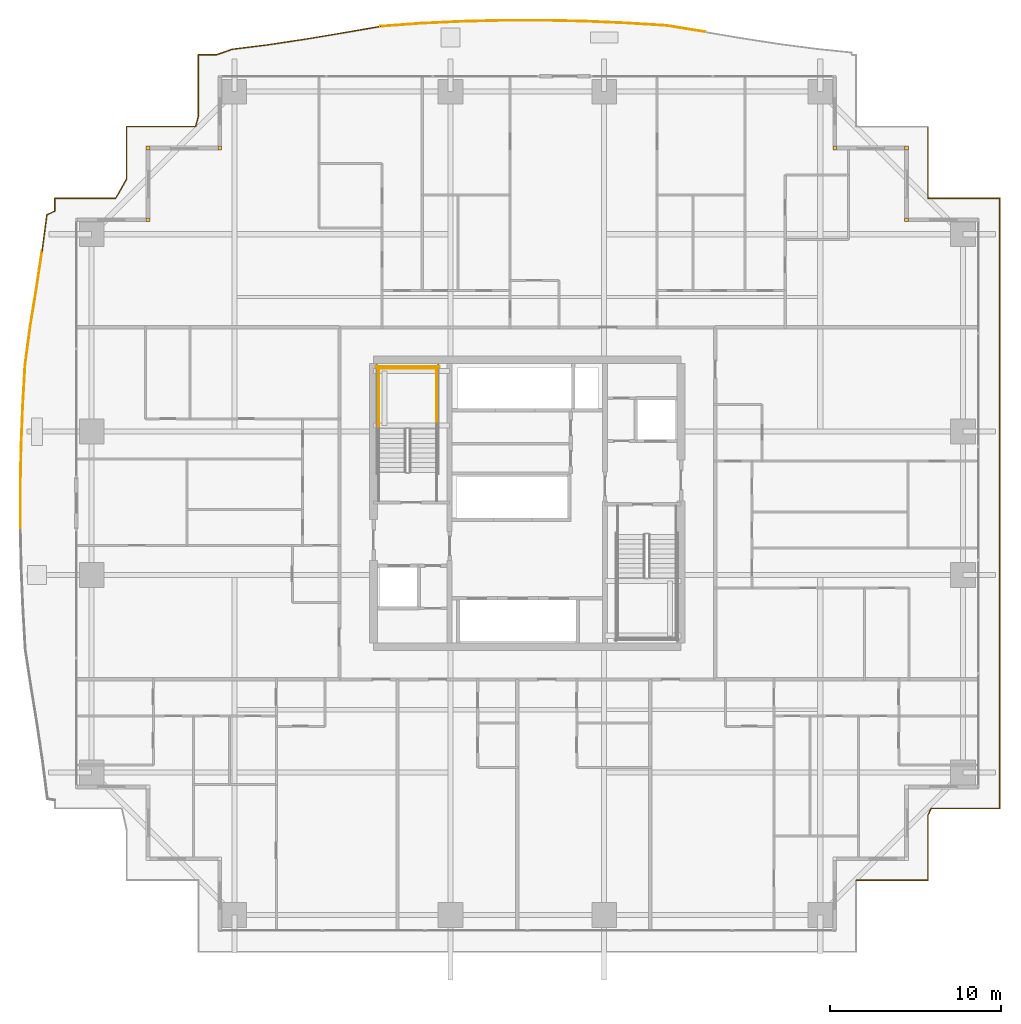
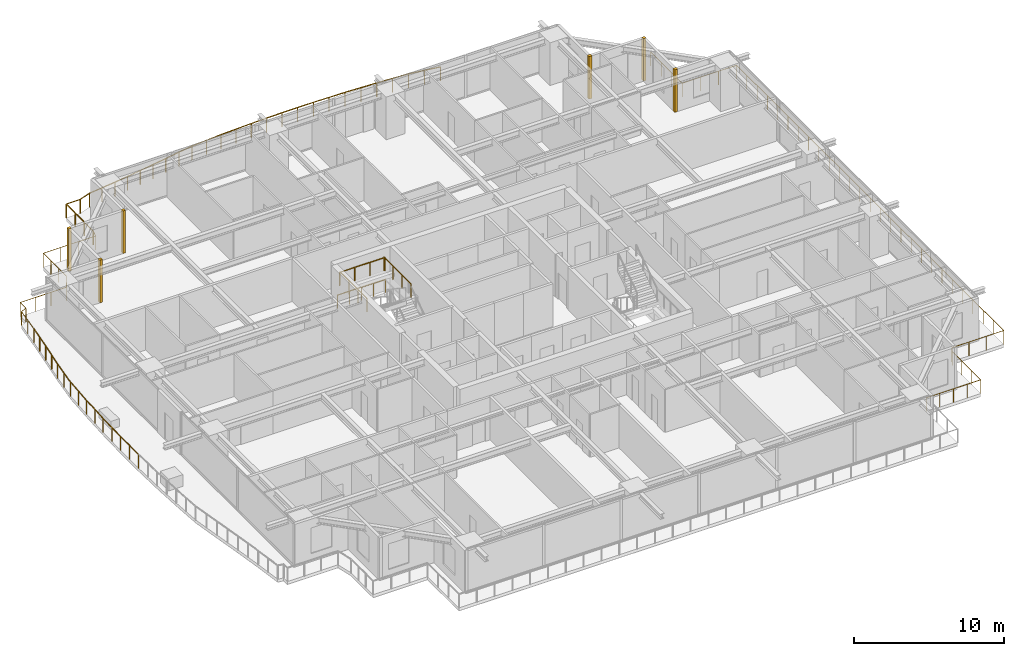
# One storey, part 34 of 35: 9 railings, 6 coverings.
"""IFC4 building model written with IfcOpenShell, lengths in metres."""

import ifcopenshell
import ifcopenshell.guid

model = None  # the IFC model being written
_history = None  # IfcOwnerHistory: only IFC2X3 demands one
_inside = {}  # id of a spatial element -> (the spatial element, [elements in it])
_under = {}  # id of a project, library or spatial element -> (it, [spatial elements below it])
_declared = {}  # id of a project -> (the project, [libraries it declares])
_typed = {}  # id of a type object -> (the type object, [elements of that type])
_made_of = {}  # id of a material, layer set ... -> (it, [elements and type objects made of it])


def new_model(schema):
    """Start an empty IFC model of exactly this schema.

    Asked for "IFC4X3", IfcOpenShell would pick the latest addendum, in which some entities
    have other attributes; the version numbers below select the first issue.
    IFC2X3 requires an IfcOwnerHistory on every rooted entity: one is made here for all.
    """
    global model, _history
    if schema == "IFC4X3":
        model = ifcopenshell.file(schema_version=(4, 3, 0, 0))
    else:
        model = ifcopenshell.file(schema=schema)
    _inside.clear()
    _under.clear()
    _declared.clear()
    _typed.clear()
    _made_of.clear()
    _history = None
    if model.schema == "IFC2X3":
        org = make("IfcOrganization", Name="unknown")
        user = make(
            "IfcPersonAndOrganization",
            ThePerson=make("IfcPerson", FamilyName="unknown"),
            TheOrganization=org,
        )
        app = make(
            "IfcApplication",
            ApplicationDeveloper=org,
            Version="unknown",
            ApplicationFullName="unknown",
            ApplicationIdentifier="unknown",
        )
        _history = make(
            "IfcOwnerHistory",
            OwningUser=user,
            OwningApplication=app,
            ChangeAction="ADDED",
            CreationDate=0,
        )
    return model


def make(cls, **values):
    """One entity of the class cls with the attributes given. An attribute that is None is left unset."""
    return model.create_entity(
        cls, **{name: value for name, value in values.items() if value is not None}
    )


def rooted(cls, **values):
    """An entity with a GlobalId (a new one), such as an element, a storey or a relation."""
    return make(cls, GlobalId=ifcopenshell.guid.new(), OwnerHistory=_history, **values)


def si_unit(unit_type, name, prefix=None):
    """IfcSIUnit, for example si_unit("LENGTHUNIT", "METRE", prefix="MILLI")."""
    return make("IfcSIUnit", UnitType=unit_type, Prefix=prefix, Name=name)


def assignment(units):
    """IfcUnitAssignment: the units of a project."""
    return None if units is None else make("IfcUnitAssignment", Units=units)


def point(xyz):
    """IfcCartesianPoint."""
    return None if xyz is None else make("IfcCartesianPoint", Coordinates=xyz)


def direction(xyz):
    """IfcDirection."""
    return None if xyz is None else make("IfcDirection", DirectionRatios=xyz)


def frame(location, z_axis=None, x_axis=None):
    """IfcAxis2Placement3D, a coordinate frame: its origin and axes. An axis left out is left unset."""
    return make(
        "IfcAxis2Placement3D",
        Location=point(location),
        Axis=direction(z_axis),
        RefDirection=direction(x_axis),
    )


def frame_2d(location, x_axis=None):
    """IfcAxis2Placement2D, a coordinate frame in the plane: its origin and x axis."""
    return make(
        "IfcAxis2Placement2D", Location=point(location), RefDirection=direction(x_axis)
    )


def origin():
    """The frame at (0, 0, 0) with its axes left unset."""
    return frame((0.0, 0.0, 0.0))


def origin_2d():
    """The frame at (0, 0) in the plane with its x axis left unset."""
    return frame_2d((0.0, 0.0))


def place(relative_to, where):
    """IfcLocalPlacement: puts the frame where relative to a parent placement (None: the world)."""
    return make(
        "IfcLocalPlacement", PlacementRelTo=relative_to, RelativePlacement=where
    )


def context(
    kind, dimensions, precision=None, world=None, true_north=None, identifier=None
):
    """IfcGeometricRepresentationContext, for example the 3D "Model" context."""
    return make(
        "IfcGeometricRepresentationContext",
        ContextIdentifier=identifier,
        ContextType=kind,
        CoordinateSpaceDimension=dimensions,
        Precision=precision,
        WorldCoordinateSystem=world,
        TrueNorth=true_north,
    )


def subcontext(parent, identifier, kind, view, scale=None):
    """IfcGeometricRepresentationSubContext, for example "Body" below "Model"."""
    return make(
        "IfcGeometricRepresentationSubContext",
        ContextIdentifier=identifier,
        ContextType=kind,
        ParentContext=parent,
        TargetScale=scale,
        TargetView=view,
    )


def project(units=None, contexts=None):
    """IfcProject with its units and contexts."""
    return rooted(
        "IfcProject",
        Name="project",
        RepresentationContexts=contexts,
        UnitsInContext=assignment(units),
    )


def spatial(cls, under=None, at=None, **own):
    """A site, building, storey or space (cls), placed at a placement, below another one or the project."""
    s = rooted(cls, ObjectPlacement=at, **own)
    if under is not None:
        _under.setdefault(under.id(), (under, []))[1].append(s)
    return s


def profile(cls, at=None, kind="AREA", **sizes):
    """A parametric profile (cls). Its sizes go by their IFC names, for example OverallWidth=200.0."""
    return make(cls, ProfileType=kind, Position=at, **sizes)


def rectangle(**sizes):
    """IfcRectangleProfileDef."""
    return profile("IfcRectangleProfileDef", **sizes)


def circle(**sizes):
    """IfcCircleProfileDef."""
    return profile("IfcCircleProfileDef", **sizes)


def extrude(swept, where, along, depth):
    """IfcExtrudedAreaSolid: the profile swept, set in the frame where, extruded along a direction by depth."""
    return make(
        "IfcExtrudedAreaSolid",
        SweptArea=swept,
        Position=where,
        ExtrudedDirection=direction(along),
        Depth=depth,
    )


def shape(context_of_items, identifier, shape_type, items):
    """IfcShapeRepresentation: the items that make up one representation, for example the "Body"."""
    return make(
        "IfcShapeRepresentation",
        ContextOfItems=context_of_items,
        RepresentationIdentifier=identifier,
        RepresentationType=shape_type,
        Items=items,
    )


def source(mapping_origin, context_of_items, identifier, shape_type, items):
    """IfcRepresentationMap: a shape defined once, which mapped items show again and again."""
    return make(
        "IfcRepresentationMap",
        MappingOrigin=mapping_origin,
        MappedRepresentation=shape(context_of_items, identifier, shape_type, items),
    )


def transform(
    local_origin,
    x_axis=None,
    y_axis=None,
    z_axis=None,
    scale=None,
    scale2=None,
    scale3=None,
    uniform=True,
):
    """IfcCartesianTransformationOperator3D, or its non-uniform kind. x_axis, y_axis, z_axis: its Axis1, 2, 3."""
    if uniform:
        return make(
            "IfcCartesianTransformationOperator3D",
            Axis1=direction(x_axis),
            Axis2=direction(y_axis),
            LocalOrigin=point(local_origin),
            Scale=scale,
            Axis3=direction(z_axis),
        )
    return make(
        "IfcCartesianTransformationOperator3DnonUniform",
        Axis1=direction(x_axis),
        Axis2=direction(y_axis),
        LocalOrigin=point(local_origin),
        Scale=scale,
        Axis3=direction(z_axis),
        Scale2=scale2,
        Scale3=scale3,
    )


def mapped(mapping_source, mapping_target):
    """IfcMappedItem: shows the shape of a source again, moved by a transform."""
    return make(
        "IfcMappedItem", MappingSource=mapping_source, MappingTarget=mapping_target
    )


def material(Name=None, Category=None):
    """IfcMaterial."""
    return make("IfcMaterial", Name=Name, Category=Category)


def layer(
    of_material, thickness, ventilated=None, Name=None, Category=None, Priority=None
):
    """IfcMaterialLayer: one layer of a wall or slab, of a material (None: an air gap)."""
    return make(
        "IfcMaterialLayer",
        Material=of_material,
        LayerThickness=thickness,
        IsVentilated=ventilated,
        Name=Name,
        Category=Category,
        Priority=Priority,
    )


def layer_set(layers, Name=None):
    """IfcMaterialLayerSet."""
    return make("IfcMaterialLayerSet", MaterialLayers=layers, LayerSetName=Name)


def made_of(thing, what):
    """Note that an element or type object is made of a material, layer set ...; save() writes the relation."""
    if what is not None:
        _made_of.setdefault(what.id(), (what, []))[1].append(thing)
    return thing


def type_object(cls, material=None, **own):
    """A type object (cls), such as IfcWallType, which elements share."""
    return made_of(rooted(cls, **own), material)


def element(
    cls,
    number,
    at=None,
    inside=None,
    cuts=None,
    type_object=None,
    material=None,
    context=None,
    identifier="Body",
    shape_type=None,
    held_by="IfcProductDefinitionShape",
    body=None,
    shapes=None,
    **own,
):
    """One element of the class cls, such as IfcWall. Its Tag is "e" and its number.

    at: its placement. inside: the storey or other place that contains it. cuts: it is an
    opening in that element (IfcRelVoidsElement). A single representation is given by context,
    identifier, shape_type and body (its items); several are given by shapes. held_by: the class
    of the entity that holds the representations. save() writes the other relations.
    """
    e = rooted(cls, Tag="e%d" % number, ObjectPlacement=at, **own)
    if body is not None:
        shapes = [shape(context, identifier, shape_type, body)]
    if shapes is not None:
        e.Representation = make(held_by, Representations=shapes)
    if inside is not None:
        _inside.setdefault(inside.id(), (inside, []))[1].append(e)
    if cuts is not None:
        rooted(
            "IfcRelVoidsElement", RelatingBuildingElement=cuts, RelatedOpeningElement=e
        )
    if type_object is not None:
        _typed.setdefault(type_object.id(), (type_object, []))[1].append(e)
    return made_of(e, material)


def aggregate(whole, parts):
    """IfcRelAggregates: a whole, such as a stair, and the parts it consists of."""
    return rooted("IfcRelAggregates", RelatingObject=whole, RelatedObjects=parts)


def save(model, path):
    """Write the relations noted so far, then the file.

    IfcRelAggregates (storeys below a building ...), IfcRelContainedInSpatialStructure (elements
    in a storey), IfcRelDefinesByType, IfcRelAssociatesMaterial and IfcRelDeclares: one each for
    every whole, place, type object, material and project.
    """
    for whole, parts in _under.values():
        aggregate(whole, parts)
    for where, things in _inside.values():
        rooted(
            "IfcRelContainedInSpatialStructure",
            RelatedElements=things,
            RelatingStructure=where,
        )
    for kind, things in _typed.values():
        rooted("IfcRelDefinesByType", RelatedObjects=things, RelatingType=kind)
    for what, things in _made_of.values():
        rooted("IfcRelAssociatesMaterial", RelatedObjects=things, RelatingMaterial=what)
    for by, libraries in _declared.values():
        rooted("IfcRelDeclares", RelatingContext=by, RelatedDefinitions=libraries)
    model.write(path)


model = new_model("IFC4")

# Units and contexts
model_context = context("Model", 3, precision=1e-05, world=origin(), true_north=direction((0.0, 1.0)))
body_context = subcontext(model_context, "Body", "Model", "MODEL_VIEW")
ifc_project = project(units=[si_unit("LENGTHUNIT", "METRE"), si_unit("AREAUNIT", "SQUARE_METRE"), si_unit("VOLUMEUNIT", "CUBIC_METRE"), si_unit("PLANEANGLEUNIT", "RADIAN"), si_unit("MASSUNIT", "GRAM", prefix="KILO")], contexts=[model_context])

# Site, building, storey
site_placement = place(None, origin())
site = spatial("IfcSite", under=ifc_project, at=site_placement, CompositionType="ELEMENT")
building_placement = place(site_placement, origin())
building = spatial("IfcBuilding", under=site, at=building_placement, Name="Serunith Strait Residences", CompositionType="ELEMENT")
storey_placement = place(building_placement, frame((0.0, 0.0, 56.699951171875)))
storey = spatial("IfcBuildingStorey", under=building, at=storey_placement, Name="L13", CompositionType="ELEMENT", Elevation=56.699951171875)

# Railings
ifc_material_1 = material(Name="Stainless Steel & Laminated Glass Balustrade", Category="steel")
railing_type_1 = type_object("IfcRailingType", Name="RLG-BALC-1150", PredefinedType="BALUSTRADE", material=ifc_material_1)
railing_1_placement = place(storey_placement, frame((2.731689453125, 23.76708984375, -0.050048828125)))
element("IfcRailing", 1, at=railing_1_placement, inside=storey, type_object=railing_type_1, Name="L13 Swirling Balcony Perimeter Balustrade 2", PredefinedType="BALUSTRADE", context=body_context, shape_type="SweptSolid", body=[
    extrude(circle(Radius=0.02392578125, at=origin_2d()), frame((0.0, 0.001953125, 1.1259765625), z_axis=(-0.001318591003, 0.999999130659, 0.0), x_axis=(-0.999999130659, -0.001318591003, 0.0)), (0.0, 0.0, 1.0), 2.403076171875),
    extrude(circle(Radius=0.02392578125, at=origin_2d()), frame((-0.003173828125, 2.408935546875, 1.1259765625), z_axis=(0.01971762572, 0.99980558872, 0.0), x_axis=(-0.99980558872, 0.01971762572, 0.0)), (0.0, 0.0, 1.0), 2.398193359375),
    extrude(circle(Radius=0.02392578125, at=origin_2d()), frame((0.044189453125, 4.810546875, 1.1259765625), z_axis=(0.039481935692, 0.999220284399, 0.0), x_axis=(-0.999220284399, 0.039481935692, 0.0)), (0.0, 0.0, 1.0), 2.3828125),
    extrude(circle(Radius=0.02392578125, at=origin_2d()), frame((0.138427734375, 7.195556640625, 1.1259765625), z_axis=(0.0564258471, 0.998406792735, 0.0), x_axis=(-0.998406792735, 0.0564258471, 0.0)), (0.0, 0.0, 1.0), 2.3583984375),
    extrude(circle(Radius=0.02392578125, at=origin_2d()), frame((0.27197265625, 9.55419921875, 1.1259765625), z_axis=(0.133675145588, 0.991025204247, 0.0), x_axis=(-0.991025204247, 0.133675145588, 0.0)), (0.0, 0.0, 1.0), 2.291748046875),
    extrude(circle(Radius=0.02392578125, at=origin_2d()), frame((0.578857421875, 11.829345703125, 1.1259765625), z_axis=(0.160246870342, 0.987076967893, 0.0), x_axis=(-0.987076967893, 0.160246870342, 0.0)), (0.0, 0.0, 1.0), 2.22802734375),
    extrude(circle(Radius=0.02392578125, at=origin_2d()), frame((0.9365234375, 14.032470703125, 1.1259765625), z_axis=(0.149345420179, 0.988785085583, 0.0), x_axis=(-0.988785085583, 0.149345420179, 0.0)), (0.0, 0.0, 1.0), 2.181640625),
    extrude(circle(Radius=0.02099609375, at=origin_2d()), origin(), (0.0, 0.0, 1.0), 1.099853515625),
    extrude(circle(Radius=0.02099609375, at=origin_2d()), frame((-0.00146484375, 1.20361328125, 0.0)), (0.0, 0.0, 1.0), 1.099853515625),
    extrude(circle(Radius=0.02099609375, at=origin_2d()), frame((-0.003173828125, 2.406982421875, 0.0)), (0.0, 0.0, 1.0), 1.099853515625),
    extrude(circle(Radius=0.02099609375, at=origin_2d()), frame((0.0205078125, 3.60791015625, 0.0)), (0.0, 0.0, 1.0), 1.099853515625),
    extrude(circle(Radius=0.02099609375, at=origin_2d()), frame((0.044189453125, 4.80859375, 0.0)), (0.0, 0.0, 1.0), 1.099853515625),
    extrude(circle(Radius=0.02099609375, at=origin_2d()), frame((0.09130859375, 6.0009765625, 0.0)), (0.0, 0.0, 1.0), 1.099853515625),
    extrude(circle(Radius=0.02099609375, at=origin_2d()), frame((0.138427734375, 7.193603515625, 0.0)), (0.0, 0.0, 1.0), 1.099853515625),
    extrude(circle(Radius=0.02099609375, at=origin_2d()), frame((0.205078125, 8.373046875, 0.0)), (0.0, 0.0, 1.0), 1.099853515625),
    extrude(circle(Radius=0.02099609375, at=origin_2d()), frame((0.271728515625, 9.55224609375, 0.0)), (0.0, 0.0, 1.0), 1.099853515625),
    extrude(circle(Radius=0.02099609375, at=origin_2d()), frame((0.42529296875, 10.68994140625, 0.0)), (0.0, 0.0, 1.0), 1.099853515625),
    extrude(circle(Radius=0.02099609375, at=origin_2d()), frame((0.57861328125, 11.827392578125, 0.0)), (0.0, 0.0, 1.0), 1.099853515625),
    extrude(circle(Radius=0.02099609375, at=origin_2d()), frame((0.75732421875, 12.928955078125, 0.0)), (0.0, 0.0, 1.0), 1.099853515625),
    extrude(circle(Radius=0.02099609375, at=origin_2d()), frame((0.936279296875, 14.030517578125, 0.0)), (0.0, 0.0, 1.0), 1.099853515625),
    extrude(circle(Radius=0.02099609375, at=origin_2d()), frame((1.099609375, 15.111083984375, 0.0)), (0.0, 0.0, 1.0), 1.099853515625),
    extrude(circle(Radius=0.02099609375, at=origin_2d()), frame((1.2626953125, 16.191650390625, 0.0)), (0.0, 0.0, 1.0), 1.099853515625),
])
railing_2_placement = place(storey_placement, frame((3.994384765625, 39.958740234375, -0.050048828125)))
element("IfcRailing", 2, at=railing_2_placement, inside=storey, type_object=railing_type_1, Name="L13 Swirling Balcony Perimeter Balustrade 3", PredefinedType="BALUSTRADE", context=body_context, shape_type="SweptSolid", body=[
    extrude(circle(Radius=0.02392578125, at=origin_2d()), frame((0.000244140625, 0.001953125, 1.1259765625), z_axis=(0.130463308787, 0.991453138106, 0.0), x_axis=(-0.991453138106, 0.130463308787, 0.0)), (0.0, 0.0, 1.0), 2.14990234375),
    extrude(circle(Radius=0.02392578125, at=origin_2d()), frame((0.28271484375, 2.13623046875, 1.1259765625), z_axis=(0.908740484931, 0.417361631019, 0.0), x_axis=(-0.417361631019, 0.908740484931, 0.0)), (0.0, 0.0, 1.0), 0.50732421875),
    extrude(circle(Radius=0.02392578125, at=origin_2d()), frame((0.74560546875, 2.350830078125, 1.1259765625), z_axis=(0.0, 1.0, 0.0), x_axis=(-1.0, 0.0, 0.0)), (0.0, 0.0, 1.0), 0.74853515625),
    extrude(circle(Radius=0.02392578125, at=origin_2d()), frame((0.74755859375, 3.101318359375, 1.1259765625), z_axis=(1.0, 0.0, 0.0), x_axis=(0.0, 1.0, 0.0)), (0.0, 0.0, 1.0), 3.557373046875),
    extrude(circle(Radius=0.02392578125, at=origin_2d()), frame((4.307861328125, 3.10302734375, 1.1259765625), z_axis=(0.496057251834, 0.868289815041, 0.0), x_axis=(-0.868289815041, 0.496057251834, 0.0)), (0.0, 0.0, 1.0), 1.283447265625),
    extrude(circle(Radius=0.02392578125, at=origin_2d()), frame((4.945556640625, 4.22119140625, 1.1259765625), z_axis=(0.0, 1.0, 0.0), x_axis=(-1.0, 0.0, 0.0)), (0.0, 0.0, 1.0), 3.078125),
    extrude(circle(Radius=0.02392578125, at=origin_2d()), frame((4.947509765625, 7.30126953125, 1.1259765625), z_axis=(1.0, 0.0, 0.0), x_axis=(0.0, 1.0, 0.0)), (0.0, 0.0, 1.0), 4.037841796875),
    extrude(circle(Radius=0.02392578125, at=origin_2d()), frame((8.98779296875, 7.30322265625, 1.1259765625), z_axis=(0.255892560316, 0.966705227862, 0.0), x_axis=(-0.966705227862, 0.255892560316, 0.0)), (0.0, 0.0, 1.0), 0.6142578125),
    extrude(circle(Radius=0.02099609375, at=origin_2d()), origin(), (0.0, 0.0, 1.0), 1.099853515625),
    extrude(circle(Radius=0.02099609375, at=origin_2d()), frame((0.140625, 1.06787109375, 0.0)), (0.0, 0.0, 1.0), 1.099853515625),
    extrude(circle(Radius=0.02099609375, at=origin_2d()), frame((0.281005859375, 2.135498046875, 0.0)), (0.0, 0.0, 1.0), 1.099853515625),
    extrude(circle(Radius=0.02099609375, at=origin_2d()), frame((0.74560546875, 2.348876953125, 0.0)), (0.0, 0.0, 1.0), 1.099853515625),
    extrude(circle(Radius=0.02099609375, at=origin_2d()), frame((0.74560546875, 3.101318359375, 0.0)), (0.0, 0.0, 1.0), 1.099853515625),
    extrude(circle(Radius=0.02099609375, at=origin_2d()), frame((1.9326171875, 3.101318359375, 0.0)), (0.0, 0.0, 1.0), 1.099853515625),
    extrude(circle(Radius=0.02099609375, at=origin_2d()), frame((3.119873046875, 3.101318359375, 0.0)), (0.0, 0.0, 1.0), 1.099853515625),
    extrude(circle(Radius=0.02099609375, at=origin_2d()), frame((4.306884765625, 3.101318359375, 0.0)), (0.0, 0.0, 1.0), 1.099853515625),
    extrude(circle(Radius=0.02099609375, at=origin_2d()), frame((4.945556640625, 4.21923828125, 0.0)), (0.0, 0.0, 1.0), 1.099853515625),
    extrude(circle(Radius=0.02099609375, at=origin_2d()), frame((4.945556640625, 5.24658203125, 0.0)), (0.0, 0.0, 1.0), 1.099853515625),
    extrude(circle(Radius=0.02099609375, at=origin_2d()), frame((4.945556640625, 6.27392578125, 0.0)), (0.0, 0.0, 1.0), 1.099853515625),
    extrude(circle(Radius=0.02099609375, at=origin_2d()), frame((4.945556640625, 7.30126953125, 0.0)), (0.0, 0.0, 1.0), 1.099853515625),
    extrude(circle(Radius=0.02099609375, at=origin_2d()), frame((6.292724609375, 7.30126953125, 0.0)), (0.0, 0.0, 1.0), 1.099853515625),
    extrude(circle(Radius=0.02099609375, at=origin_2d()), frame((7.64013671875, 7.30126953125, 0.0)), (0.0, 0.0, 1.0), 1.099853515625),
    extrude(circle(Radius=0.02099609375, at=origin_2d()), frame((8.9873046875, 7.30126953125, 0.0)), (0.0, 0.0, 1.0), 1.099853515625),
    extrude(circle(Radius=0.02099609375, at=origin_2d()), frame((9.1455078125, 7.89892578125, 0.0)), (0.0, 0.0, 1.0), 1.099853515625),
])
railing_3_placement = place(storey_placement, frame((13.139892578125, 47.857666015625, -0.050048828125)))
element("IfcRailing", 3, at=railing_3_placement, inside=storey, type_object=railing_type_1, Name="L13 Swirling Balcony Perimeter Balustrade 4", PredefinedType="BALUSTRADE", context=body_context, shape_type="SweptSolid", body=[
    extrude(circle(Radius=0.02392578125, at=origin_2d()), frame((0.0, 0.001953125, 1.1259765625), z_axis=(0.0, 1.0, 0.0), x_axis=(-1.0, 0.0, 0.0)), (0.0, 0.0, 1.0), 3.598388671875),
    extrude(circle(Radius=0.02392578125, at=origin_2d()), frame((0.001953125, 3.602294921875, 1.1259765625), z_axis=(1.0, 0.0, 0.0), x_axis=(0.0, 1.0, 0.0)), (0.0, 0.0, 1.0), 1.071044921875),
    extrude(circle(Radius=0.02392578125, at=origin_2d()), frame((1.076904296875, 3.60302734375, 1.1259765625), z_axis=(0.94146147497, 0.337120588435, 0.0), x_axis=(-0.337120588435, 0.94146147497, 0.0)), (0.0, 0.0, 1.0), 0.942626953125),
    extrude(circle(Radius=0.02392578125, at=origin_2d()), frame((1.968017578125, 3.921630859375, 1.1259765625), z_axis=(0.992170569373, 0.124890196857, 0.0), x_axis=(-0.124890196857, 0.992170569373, 0.0)), (0.0, 0.0, 1.0), 2.138427734375),
    extrude(circle(Radius=0.02392578125, at=origin_2d()), frame((4.09375, 4.189208984375, 1.1259765625), z_axis=(0.988939654324, 0.148318441557, 0.0), x_axis=(-0.148318441557, 0.988939654324, 0.0)), (0.0, 0.0, 1.0), 2.16552734375),
    extrude(circle(Radius=0.02392578125, at=origin_2d()), frame((6.2392578125, 4.510986328125, 1.1259765625), z_axis=(0.986223508148, 0.165418233504, 0.0), x_axis=(-0.165418233504, 0.986223508148, 0.0)), (0.0, 0.0, 1.0), 2.2099609375),
    extrude(circle(Radius=0.02392578125, at=origin_2d()), frame((8.422607421875, 4.877197265625, 1.1259765625), z_axis=(0.985551131998, 0.169378175148, 0.0), x_axis=(-0.169378175148, 0.985551131998, 0.0)), (0.0, 0.0, 1.0), 2.26904296875),
    extrude(circle(Radius=0.02099609375, at=origin_2d()), origin(), (0.0, 0.0, 1.0), 1.099853515625),
    extrude(circle(Radius=0.02099609375, at=origin_2d()), frame((0.0, 1.20068359375, 0.0)), (0.0, 0.0, 1.0), 1.099853515625),
    extrude(circle(Radius=0.02099609375, at=origin_2d()), frame((0.0, 2.401611328125, 0.0)), (0.0, 0.0, 1.0), 1.099853515625),
    extrude(circle(Radius=0.02099609375, at=origin_2d()), frame((0.0, 3.602294921875, 0.0)), (0.0, 0.0, 1.0), 1.099853515625),
    extrude(circle(Radius=0.02099609375, at=origin_2d()), frame((1.074951171875, 3.602294921875, 0.0)), (0.0, 0.0, 1.0), 1.099853515625),
    extrude(circle(Radius=0.02099609375, at=origin_2d()), frame((1.966064453125, 3.92138671875, 0.0)), (0.0, 0.0, 1.0), 1.099853515625),
    extrude(circle(Radius=0.02099609375, at=origin_2d()), frame((3.02880859375, 4.05517578125, 0.0)), (0.0, 0.0, 1.0), 1.099853515625),
    extrude(circle(Radius=0.02099609375, at=origin_2d()), frame((4.091796875, 4.18896484375, 0.0)), (0.0, 0.0, 1.0), 1.099853515625),
    extrude(circle(Radius=0.02099609375, at=origin_2d()), frame((5.16455078125, 4.349853515625, 0.0)), (0.0, 0.0, 1.0), 1.099853515625),
    extrude(circle(Radius=0.02099609375, at=origin_2d()), frame((6.2373046875, 4.5107421875, 0.0)), (0.0, 0.0, 1.0), 1.099853515625),
    extrude(circle(Radius=0.02099609375, at=origin_2d()), frame((7.3291015625, 4.69384765625, 0.0)), (0.0, 0.0, 1.0), 1.099853515625),
    extrude(circle(Radius=0.02099609375, at=origin_2d()), frame((8.420654296875, 4.876953125, 0.0)), (0.0, 0.0, 1.0), 1.099853515625),
    extrude(circle(Radius=0.02099609375, at=origin_2d()), frame((9.540771484375, 5.0693359375, 0.0)), (0.0, 0.0, 1.0), 1.099853515625),
    extrude(circle(Radius=0.02099609375, at=origin_2d()), frame((10.660888671875, 5.261962890625, 0.0)), (0.0, 0.0, 1.0), 1.099853515625),
])
railing_4_placement = place(storey_placement, frame((23.80078125, 53.11962890625, -0.050048828125)))
element("IfcRailing", 4, at=railing_4_placement, inside=storey, type_object=railing_type_1, Name="L13 Swirling Balcony Perimeter Balustrade 5", PredefinedType="BALUSTRADE", context=body_context, shape_type="SweptSolid", body=[
    extrude(circle(Radius=0.02392578125, at=origin_2d()), frame((0.001953125, 0.000244140625, 1.1259765625), z_axis=(0.997189267486, 0.074923726615, 0.0), x_axis=(-0.074923726615, 0.997189267486, 0.0)), (0.0, 0.0, 1.0), 2.355224609375),
    extrude(circle(Radius=0.02392578125, at=origin_2d()), frame((2.3544921875, 0.1767578125, 1.1259765625), z_axis=(0.998923055712, 0.046397508202, 0.0), x_axis=(-0.046397508202, 0.998923055712, 0.0)), (0.0, 0.0, 1.0), 2.39013671875),
    extrude(circle(Radius=0.02392578125, at=origin_2d()), frame((4.74609375, 0.287841796875, 1.1259765625), z_axis=(0.999693054714, 0.024774913858, 0.0), x_axis=(-0.024774913858, 0.999693054714, 0.0)), (0.0, 0.0, 1.0), 2.410400390625),
    extrude(circle(Radius=0.02392578125, at=origin_2d()), frame((7.15966796875, 0.34765625, 1.1259765625), z_axis=(0.999998856553, 0.001512247489, 0.0), x_axis=(-0.001512247489, 0.999998856553, 0.0)), (0.0, 0.0, 1.0), 2.417724609375),
    extrude(circle(Radius=0.02392578125, at=origin_2d()), frame((9.581298828125, 0.351318359375, 1.1259765625), z_axis=(0.999761779854, -0.021826212295, 0.0), x_axis=(0.021826212295, 0.999761779854, 0.0)), (0.0, 0.0, 1.0), 2.412109375),
    extrude(circle(Radius=0.02392578125, at=origin_2d()), frame((11.996826171875, 0.298583984375, 1.1259765625), z_axis=(0.999059037565, -0.043370951799, 0.0), x_axis=(0.043370951799, 0.999059037565, 0.0)), (0.0, 0.0, 1.0), 2.39404296875),
    extrude(circle(Radius=0.02392578125, at=origin_2d()), frame((14.392578125, 0.1943359375, 1.1259765625), z_axis=(0.998082123623, -0.06190375194, 0.0), x_axis=(0.06190375194, 0.998082123623, 0.0)), (0.0, 0.0, 1.0), 2.3662109375),
    extrude(circle(Radius=0.02392578125, at=origin_2d()), frame((16.75830078125, 0.047607421875, 1.1259765625), z_axis=(0.986990333698, -0.160779604386, 0.0), x_axis=(0.160779604386, 0.986990333698, 0.0)), (0.0, 0.0, 1.0), 2.28271484375),
    extrude(circle(Radius=0.02099609375, at=origin_2d()), origin(), (0.0, 0.0, 1.0), 1.099853515625),
    extrude(circle(Radius=0.02099609375, at=origin_2d()), frame((1.17626953125, 0.08837890625, 0.0)), (0.0, 0.0, 1.0), 1.099853515625),
    extrude(circle(Radius=0.02099609375, at=origin_2d()), frame((2.3525390625, 0.1767578125, 0.0)), (0.0, 0.0, 1.0), 1.099853515625),
    extrude(circle(Radius=0.02099609375, at=origin_2d()), frame((3.54833984375, 0.232421875, 0.0)), (0.0, 0.0, 1.0), 1.099853515625),
    extrude(circle(Radius=0.02099609375, at=origin_2d()), frame((4.744140625, 0.287841796875, 0.0)), (0.0, 0.0, 1.0), 1.099853515625),
    extrude(circle(Radius=0.02099609375, at=origin_2d()), frame((5.950927734375, 0.31787109375, 0.0)), (0.0, 0.0, 1.0), 1.099853515625),
    extrude(circle(Radius=0.02099609375, at=origin_2d()), frame((7.15771484375, 0.34765625, 0.0)), (0.0, 0.0, 1.0), 1.099853515625),
    extrude(circle(Radius=0.02099609375, at=origin_2d()), frame((8.36865234375, 0.349609375, 0.0)), (0.0, 0.0, 1.0), 1.099853515625),
    extrude(circle(Radius=0.02099609375, at=origin_2d()), frame((9.579345703125, 0.351318359375, 0.0)), (0.0, 0.0, 1.0), 1.099853515625),
    extrude(circle(Radius=0.02099609375, at=origin_2d()), frame((10.787109375, 0.324951171875, 0.0)), (0.0, 0.0, 1.0), 1.099853515625),
    extrude(circle(Radius=0.02099609375, at=origin_2d()), frame((11.994873046875, 0.298583984375, 0.0)), (0.0, 0.0, 1.0), 1.099853515625),
    extrude(circle(Radius=0.02099609375, at=origin_2d()), frame((13.19287109375, 0.24658203125, 0.0)), (0.0, 0.0, 1.0), 1.099853515625),
    extrude(circle(Radius=0.02099609375, at=origin_2d()), frame((14.390625, 0.194580078125, 0.0)), (0.0, 0.0, 1.0), 1.099853515625),
    extrude(circle(Radius=0.02099609375, at=origin_2d()), frame((15.573486328125, 0.12109375, 0.0)), (0.0, 0.0, 1.0), 1.099853515625),
    extrude(circle(Radius=0.02099609375, at=origin_2d()), frame((16.75634765625, 0.0478515625, 0.0)), (0.0, 0.0, 1.0), 1.099853515625),
    extrude(circle(Radius=0.02099609375, at=origin_2d()), frame((17.884765625, -0.135986328125, 0.0)), (0.0, 0.0, 1.0), 1.099853515625),
    extrude(circle(Radius=0.02099609375, at=origin_2d()), frame((19.013427734375, -0.31982421875, 0.0)), (0.0, 0.0, 1.0), 1.099853515625),
])
railing_5_placement = place(storey_placement, frame((55.860107421875, 47.260009765625, -0.050048828125)))
element("IfcRailing", 5, at=railing_5_placement, inside=storey, type_object=railing_type_1, Name="L13 Swirling Balcony Perimeter Balustrade 7", PredefinedType="BALUSTRADE", context=body_context, shape_type="SweptSolid", body=[
    extrude(circle(Radius=0.02392578125, at=origin_2d()), frame((0.0, -0.001953125, 1.1259765625), z_axis=(0.0, -1.0, 0.0), x_axis=(1.0, 0.0, 0.0)), (0.0, 0.0, 1.0), 4.196044921875),
    extrude(circle(Radius=0.02392578125, at=origin_2d()), frame((0.001953125, -4.199951171875, 1.1259765625), z_axis=(1.0, 0.0, 0.0), x_axis=(0.0, 1.0, 0.0)), (0.0, 0.0, 1.0), 4.196044921875),
    extrude(circle(Radius=0.02392578125, at=origin_2d()), frame((4.199951171875, -4.201904296875, 1.1259765625), z_axis=(0.0, -1.0, 0.0), x_axis=(1.0, 0.0, 0.0)), (0.0, 0.0, 1.0), 35.716064453125),
    extrude(circle(Radius=0.02392578125, at=origin_2d()), frame((4.197998046875, -39.919921875, 1.1259765625), z_axis=(-1.0, 0.0, 0.0), x_axis=(0.0, -1.0, 0.0)), (0.0, 0.0, 1.0), 4.014892578125),
    extrude(circle(Radius=0.02392578125, at=origin_2d()), frame((0.180419921875, -39.921630859375, 1.1259765625), z_axis=(-0.414518347731, -0.91004095479, 0.0), x_axis=(0.91004095479, -0.414518347731, 0.0)), (0.0, 0.0, 1.0), 0.43310546875),
    extrude(circle(Radius=0.02392578125, at=origin_2d()), frame((0.0, -40.319580078125, 1.1259765625), z_axis=(0.0, -1.0, 0.0), x_axis=(1.0, 0.0, 0.0)), (0.0, 0.0, 1.0), 3.798583984375),
    extrude(circle(Radius=0.02392578125, at=origin_2d()), frame((-0.001953125, -44.1201171875, 1.1259765625), z_axis=(-1.0, 0.0, 0.0), x_axis=(0.0, -1.0, 0.0)), (0.0, 0.0, 1.0), 4.1962890625),
    extrude(circle(Radius=0.02099609375, at=origin_2d()), origin(), (0.0, 0.0, 1.0), 1.099853515625),
    extrude(circle(Radius=0.02099609375, at=origin_2d()), frame((0.0, -1.39990234375, 0.0)), (0.0, 0.0, 1.0), 1.099853515625),
    extrude(circle(Radius=0.02099609375, at=origin_2d()), frame((0.0, -2.800048828125, 0.0)), (0.0, 0.0, 1.0), 1.099853515625),
    extrude(circle(Radius=0.02099609375, at=origin_2d()), frame((0.0, -4.199951171875, 0.0)), (0.0, 0.0, 1.0), 1.099853515625),
    extrude(circle(Radius=0.02099609375, at=origin_2d()), frame((1.39990234375, -4.199951171875, 0.0)), (0.0, 0.0, 1.0), 1.099853515625),
    extrude(circle(Radius=0.02099609375, at=origin_2d()), frame((2.800048828125, -4.199951171875, 0.0)), (0.0, 0.0, 1.0), 1.099853515625),
    extrude(circle(Radius=0.02099609375, at=origin_2d()), frame((4.199951171875, -4.199951171875, 0.0)), (0.0, 0.0, 1.0), 1.099853515625),
    extrude(circle(Radius=0.02099609375, at=origin_2d()), frame((4.199951171875, -5.57373046875, 0.0)), (0.0, 0.0, 1.0), 1.099853515625),
    extrude(circle(Radius=0.02099609375, at=origin_2d()), frame((4.199951171875, -6.94775390625, 0.0)), (0.0, 0.0, 1.0), 1.099853515625),
    extrude(circle(Radius=0.02099609375, at=origin_2d()), frame((4.199951171875, -8.321533203125, 0.0)), (0.0, 0.0, 1.0), 1.099853515625),
    extrude(circle(Radius=0.02099609375, at=origin_2d()), frame((4.199951171875, -9.6953125, 0.0)), (0.0, 0.0, 1.0), 1.099853515625),
    extrude(circle(Radius=0.02099609375, at=origin_2d()), frame((4.199951171875, -11.069091796875, 0.0)), (0.0, 0.0, 1.0), 1.099853515625),
    extrude(circle(Radius=0.02099609375, at=origin_2d()), frame((4.199951171875, -12.443115234375, 0.0)), (0.0, 0.0, 1.0), 1.099853515625),
    extrude(circle(Radius=0.02099609375, at=origin_2d()), frame((4.199951171875, -13.81689453125, 0.0)), (0.0, 0.0, 1.0), 1.099853515625),
    extrude(circle(Radius=0.02099609375, at=origin_2d()), frame((4.199951171875, -15.190673828125, 0.0)), (0.0, 0.0, 1.0), 1.099853515625),
    extrude(circle(Radius=0.02099609375, at=origin_2d()), frame((4.199951171875, -16.564453125, 0.0)), (0.0, 0.0, 1.0), 1.099853515625),
    extrude(circle(Radius=0.02099609375, at=origin_2d()), frame((4.199951171875, -17.9384765625, 0.0)), (0.0, 0.0, 1.0), 1.099853515625),
    extrude(circle(Radius=0.02099609375, at=origin_2d()), frame((4.199951171875, -19.312255859375, 0.0)), (0.0, 0.0, 1.0), 1.099853515625),
    extrude(circle(Radius=0.02099609375, at=origin_2d()), frame((4.199951171875, -20.68603515625, 0.0)), (0.0, 0.0, 1.0), 1.099853515625),
    extrude(circle(Radius=0.02099609375, at=origin_2d()), frame((4.199951171875, -22.06005859375, 0.0)), (0.0, 0.0, 1.0), 1.099853515625),
    extrude(circle(Radius=0.02099609375, at=origin_2d()), frame((4.199951171875, -23.433837890625, 0.0)), (0.0, 0.0, 1.0), 1.099853515625),
    extrude(circle(Radius=0.02099609375, at=origin_2d()), frame((4.199951171875, -24.8076171875, 0.0)), (0.0, 0.0, 1.0), 1.099853515625),
    extrude(circle(Radius=0.02099609375, at=origin_2d()), frame((4.199951171875, -26.181396484375, 0.0)), (0.0, 0.0, 1.0), 1.099853515625),
    extrude(circle(Radius=0.02099609375, at=origin_2d()), frame((4.199951171875, -27.555419921875, 0.0)), (0.0, 0.0, 1.0), 1.099853515625),
    extrude(circle(Radius=0.02099609375, at=origin_2d()), frame((4.199951171875, -28.92919921875, 0.0)), (0.0, 0.0, 1.0), 1.099853515625),
    extrude(circle(Radius=0.02099609375, at=origin_2d()), frame((4.199951171875, -30.302978515625, 0.0)), (0.0, 0.0, 1.0), 1.099853515625),
    extrude(circle(Radius=0.02099609375, at=origin_2d()), frame((4.199951171875, -31.6767578125, 0.0)), (0.0, 0.0, 1.0), 1.099853515625),
    extrude(circle(Radius=0.02099609375, at=origin_2d()), frame((4.199951171875, -33.05078125, 0.0)), (0.0, 0.0, 1.0), 1.099853515625),
    extrude(circle(Radius=0.02099609375, at=origin_2d()), frame((4.199951171875, -34.424560546875, 0.0)), (0.0, 0.0, 1.0), 1.099853515625),
    extrude(circle(Radius=0.02099609375, at=origin_2d()), frame((4.199951171875, -35.79833984375, 0.0)), (0.0, 0.0, 1.0), 1.099853515625),
    extrude(circle(Radius=0.02099609375, at=origin_2d()), frame((4.199951171875, -37.172119140625, 0.0)), (0.0, 0.0, 1.0), 1.099853515625),
    extrude(circle(Radius=0.02099609375, at=origin_2d()), frame((4.199951171875, -38.546142578125, 0.0)), (0.0, 0.0, 1.0), 1.099853515625),
    extrude(circle(Radius=0.02099609375, at=origin_2d()), frame((4.199951171875, -39.919921875, 0.0)), (0.0, 0.0, 1.0), 1.099853515625),
    extrude(circle(Radius=0.02099609375, at=origin_2d()), frame((2.8603515625, -39.919921875, 0.0)), (0.0, 0.0, 1.0), 1.099853515625),
    extrude(circle(Radius=0.02099609375, at=origin_2d()), frame((1.520751953125, -39.919921875, 0.0)), (0.0, 0.0, 1.0), 1.099853515625),
    extrude(circle(Radius=0.02099609375, at=origin_2d()), frame((0.18115234375, -39.919921875, 0.0)), (0.0, 0.0, 1.0), 1.099853515625),
    extrude(circle(Radius=0.02099609375, at=origin_2d()), frame((0.0, -40.317626953125, 0.0)), (0.0, 0.0, 1.0), 1.099853515625),
    extrude(circle(Radius=0.02099609375, at=origin_2d()), frame((0.0, -41.585205078125, 0.0)), (0.0, 0.0, 1.0), 1.099853515625),
    extrude(circle(Radius=0.02099609375, at=origin_2d()), frame((0.0, -42.8525390625, 0.0)), (0.0, 0.0, 1.0), 1.099853515625),
    extrude(circle(Radius=0.02099609375, at=origin_2d()), frame((0.0, -44.1201171875, 0.0)), (0.0, 0.0, 1.0), 1.099853515625),
    extrude(circle(Radius=0.02099609375, at=origin_2d()), frame((-1.050048828125, -44.1201171875, 0.0)), (0.0, 0.0, 1.0), 1.099853515625),
    extrude(circle(Radius=0.02099609375, at=origin_2d()), frame((-2.10009765625, -44.1201171875, 0.0)), (0.0, 0.0, 1.0), 1.099853515625),
    extrude(circle(Radius=0.02099609375, at=origin_2d()), frame((-3.150146484375, -44.1201171875, 0.0)), (0.0, 0.0, 1.0), 1.099853515625),
    extrude(circle(Radius=0.02099609375, at=origin_2d()), frame((-4.2001953125, -44.1201171875, 0.0)), (0.0, 0.0, 1.0), 1.099853515625),
])
ifc_material_2 = material(Name="Brushed stainless steel 316L", Category="steel")
railing_type_2 = type_object("IfcRailingType", Name="RLG-STAIR-GUARD", PredefinedType="BALUSTRADE", material=ifc_material_2)
for number, where, name in (
    (6, (27.10009765625, 29.550048828125, 1.875), "L13 ST-1 stair guard 3"),
    (7, (23.699951171875, 29.550048828125, 1.875), "L13 ST-1 stair guard 4"),
):
    element("IfcRailing", number, at=place(storey_placement, frame(where)), inside=storey, type_object=railing_type_2, Name=name, PredefinedType="BALUSTRADE", context=body_context, shape_type="SweptSolid", body=[
        extrude(circle(Radius=0.02392578125, at=origin_2d()), frame((0.0, 0.001953125, 1.076171875), z_axis=(0.0, 1.0, 0.0), x_axis=(-1.0, 0.0, 0.0)), (0.0, 0.0, 1.0), 3.595947265625),
        extrude(circle(Radius=0.02099609375, at=origin_2d()), origin(), (0.0, 0.0, 1.0), 1.050048828125),
        extrude(circle(Radius=0.02099609375, at=origin_2d()), frame((0.0, 1.199951171875, 0.0)), (0.0, 0.0, 1.0), 1.050048828125),
        extrude(circle(Radius=0.02099609375, at=origin_2d()), frame((0.0, 2.39990234375, 0.0)), (0.0, 0.0, 1.0), 1.050048828125),
        extrude(circle(Radius=0.02099609375, at=origin_2d()), frame((0.0, 3.599853515625, 0.0)), (0.0, 0.0, 1.0), 1.050048828125),
    ])
railing_6_placement = place(storey_placement, frame((27.14990234375, 33.10009765625, 1.875)))
element("IfcRailing", 8, at=railing_6_placement, inside=storey, type_object=railing_type_2, Name="L13 ST-1 stair guard 5", PredefinedType="BALUSTRADE", context=body_context, shape_type="SweptSolid", body=[
    extrude(circle(Radius=0.02392578125, at=origin_2d()), frame((-0.001953125, 0.0, 1.076171875), z_axis=(-1.0, 0.0, 0.0), x_axis=(0.0, -1.0, 0.0)), (0.0, 0.0, 1.0), 3.49609375),
    extrude(circle(Radius=0.02099609375, at=origin_2d()), origin(), (0.0, 0.0, 1.0), 1.050048828125),
    extrude(circle(Radius=0.02099609375, at=origin_2d()), frame((-1.166748046875, 0.0, 0.0)), (0.0, 0.0, 1.0), 1.050048828125),
    extrude(circle(Radius=0.02099609375, at=origin_2d()), frame((-2.333251953125, 0.0, 0.0)), (0.0, 0.0, 1.0), 1.050048828125),
    extrude(circle(Radius=0.02099609375, at=origin_2d()), frame((-3.5, 0.0, 0.0)), (0.0, 0.0, 1.0), 1.050048828125),
])
railing_7_placement = place(storey_placement, frame((27.25, 33.199951171875, 0.0)))
element("IfcRailing", 9, at=railing_7_placement, inside=storey, type_object=railing_type_2, Name="L13 ST-1 stair guard 12", PredefinedType="BALUSTRADE", context=body_context, shape_type="SweptSolid", body=[
    extrude(circle(Radius=0.02392578125, at=origin_2d()), frame((-0.001953125, 0.0, 1.076171875), z_axis=(-1.0, 0.0, 0.0), x_axis=(0.0, -1.0, 0.0)), (0.0, 0.0, 1.0), 3.696044921875),
    extrude(circle(Radius=0.02099609375, at=origin_2d()), origin(), (0.0, 0.0, 1.0), 1.050048828125),
    extrude(circle(Radius=0.02099609375, at=origin_2d()), frame((-0.925048828125, 0.0, 0.0)), (0.0, 0.0, 1.0), 1.050048828125),
    extrude(circle(Radius=0.02099609375, at=origin_2d()), frame((-1.85009765625, 0.0, 0.0)), (0.0, 0.0, 1.0), 1.050048828125),
    extrude(circle(Radius=0.02099609375, at=origin_2d()), frame((-2.77490234375, 0.0, 0.0)), (0.0, 0.0, 1.0), 1.050048828125),
    extrude(circle(Radius=0.02099609375, at=origin_2d()), frame((-3.699951171875, 0.0, 0.0)), (0.0, 0.0, 1.0), 1.050048828125),
])

# Coverings
ifc_material_3 = material(Name="Pale-Champagne Anodised Aluminium", Category="aluminium")
ifc_layer = layer(ifc_material_3, 0.219970703125, Name="Pale-Champagne Anodised Aluminium")
ifc_layer_set = layer_set([ifc_layer], Name="Pale-Champagne Anodised Aluminium")
covering_type = type_object("IfcCoveringType", Name="COV-CORN-TRIM", PredefinedType="CLADDING", material=ifc_layer_set)
shared_shape = source(origin(), body_context, "Body", "SweptSolid", [
    extrude(rectangle(XDim=0.221923828125, YDim=0.221923828125, at=origin_2d()), origin(), (0.0, 0.0, 1.0), 3.47509765625),
])
for number, where, z_axis, x_axis, name in (
    (10, (54.60009765625, 41.800048828125, 0.0), (0.0, 0.0, 1.0), (1.0, 0.0, 0.0), "L13 Girih Serrated Corner Trim Post 07"),
    (11, (54.60009765625, 46.0, 0.0), (0.0, 0.0, 1.0), (1.0, 0.0, 0.0), "L13 Girih Serrated Corner Trim Post 08"),
    (12, (50.39990234375, 46.0, 0.0), (0.0, 0.0, 1.0), (1.0, 0.0, 0.0), "L13 Girih Serrated Corner Trim Post 09"),
    (13, (14.39990234375, 46.0, 0.0), (0.0, 0.0, 1.0), (1.0, 0.0, 0.0), "L13 Girih Serrated Corner Trim Post 12"),
    (14, (10.199951171875, 46.0, 0.0), (0.0, 0.0, 1.0), (1.0, 0.0, 0.0), "L13 Girih Serrated Corner Trim Post 13"),
    (15, (10.199951171875, 41.800048828125, 0.0), (0.0, 0.0, 1.0), (1.0, 0.0, 0.0), "L13 Girih Serrated Corner Trim Post 14"),
):
    element("IfcCovering", number, at=place(storey_placement, frame(where, z_axis=z_axis, x_axis=x_axis)), inside=storey, type_object=covering_type, Name=name, PredefinedType="CLADDING", context=body_context, shape_type="MappedRepresentation", body=[
        mapped(shared_shape, transform((0.0, 0.0, 0.0), scale=1.0)),
    ])

save(model, "model.ifc")
